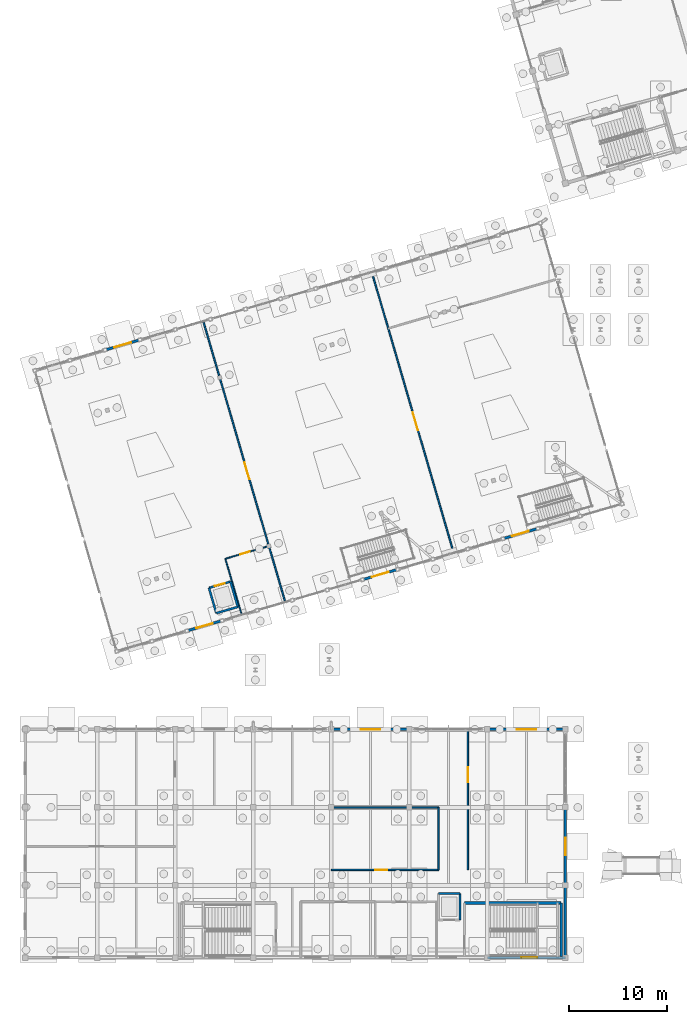
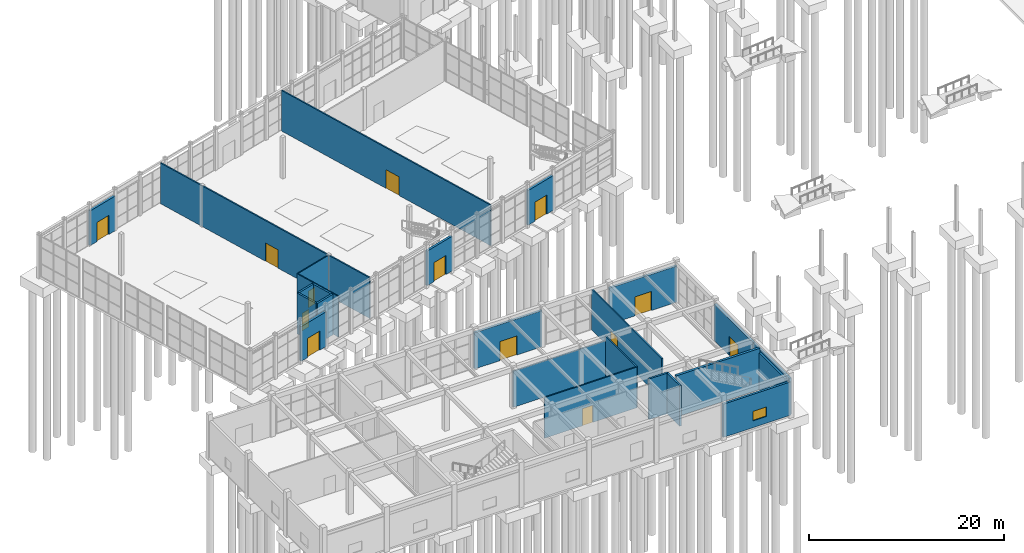
# One storey, part 72 of 90: 25 walls, 13 doors, 1 window, 14 openings.
"""IFC4 building model written with IfcOpenShell, lengths in metres."""

from ifc_helpers import new_model, si_unit, direction, frame, frame_2d, origin, place, context, subcontext, project, spatial, rectangle, extrude, material, layer, layer_set, type_object, element, fill, save


model = new_model("IFC4")

# Units and contexts
model_context = context("Model", 3, precision=1e-05, world=origin(), true_north=direction((0.0, 1.0)))
body_context = subcontext(model_context, "Body", "Model", "MODEL_VIEW")
ifc_project = project(units=[si_unit("LENGTHUNIT", "METRE"), si_unit("AREAUNIT", "SQUARE_METRE"), si_unit("VOLUMEUNIT", "CUBIC_METRE"), si_unit("PLANEANGLEUNIT", "RADIAN"), si_unit("MASSUNIT", "GRAM", prefix="KILO")], contexts=[model_context])

# Site, building, storey
site_placement = place(None, origin())
site = spatial("IfcSite", under=ifc_project, at=site_placement, CompositionType="ELEMENT")
building_placement = place(site_placement, origin())
building = spatial("IfcBuilding", under=site, at=building_placement, Name="Canggui Botanical Conservatory", CompositionType="ELEMENT")
storey_placement = place(building_placement, origin())
storey = spatial("IfcBuildingStorey", under=building, at=storey_placement, Name="L01", CompositionType="ELEMENT", Elevation=0.0)

# Wall, opening, window
ifc_material_1 = material(Name="Precast Concrete C40", Category="concrete")
ifc_layer_1 = layer(ifc_material_1, 0.260009765625, Name="Precast Concrete C40", Category="concrete")
ifc_layer_set_1 = layer_set([ifc_layer_1], Name="Precast Concrete C40")
wall_type_1 = type_object("IfcWallType", Name="EW-260", PredefinedType="STANDARD", material=ifc_layer_set_1)
wall_1_placement = place(storey_placement, frame((66.0, 10.60009765625, 0.0), z_axis=(0.0, 0.0, 1.0), x_axis=(-1.0, 0.0, 0.0)))
wall_1 = element("IfcWall", 1, at=wall_1_placement, inside=storey, type_object=wall_type_1, Name="Visitor Centre Exterior Wall L01-1", PredefinedType="STANDARD", context=body_context, shape_type="SweptSolid", body=[
    extrude(rectangle(XDim=8.0, YDim=0.260009765625, at=frame_2d((4.0, 0.0))), origin(), (0.0, 0.0, 1.0), 4.179931640625),
])
opening_1_placement = place(wall_1_placement, frame((2.89990234375, 0.0, 0.85009765625)))
opening_1 = element("IfcOpeningElement", 2, at=opening_1_placement, cuts=wall_1, Name="Opening W-04", PredefinedType="OPENING", context=body_context, shape_type="SweptSolid", body=[
    extrude(rectangle(XDim=1.60009765625, YDim=1.199951171875, at=frame_2d((0.800048828125, 0.60009765625))), frame((0.0, 0.14013671875, 0.0), z_axis=(0.0, -1.0, 0.0), x_axis=(1.0, 0.0, 0.0)), (0.0, 0.0, 1.0), 0.280029296875),
])
ifc_material_2 = material(Name="Low-E Insulated Glass", Category="glass")
window_type = type_object("IfcWindowType", Name="WIN-04", PartitioningType="SINGLE_PANEL", PredefinedType="WINDOW", material=ifc_material_2)
window_placement = place(opening_1_placement, origin())
window = element("IfcWindow", 3, at=window_placement, inside=storey, type_object=window_type, Name="Visitor Centre Window L01-1", OverallHeight=1.199951171875, OverallWidth=1.60009765625, PartitioningType="SINGLE_PANEL", PredefinedType="WINDOW", context=body_context, shape_type="SweptSolid", body=[
    extrude(rectangle(XDim=1.60009765625, YDim=1.199951171875, at=frame_2d((0.800048828125, 0.60009765625))), frame((0.0, 0.030029296875, 0.0), z_axis=(0.0, -1.0, 0.0), x_axis=(1.0, 0.0, 0.0)), (0.0, 0.0, 1.0), 0.06005859375),
])
fill(opening_1, window)

# Wall, opening, door
wall_2_placement = place(storey_placement, frame((42.0, 34.0, 0.0), z_axis=(0.0, 0.0, 1.0), x_axis=(1.0, 0.0, 0.0)))
wall_2 = element("IfcWall", 4, at=wall_2_placement, inside=storey, type_object=wall_type_1, Name="Visitor Centre Exterior Wall L01-15", PredefinedType="STANDARD", context=body_context, shape_type="SweptSolid", body=[
    extrude(rectangle(XDim=8.0, YDim=0.260009765625, at=frame_2d((4.0, 0.0))), origin(), (0.0, 0.0, 1.0), 4.5400390625),
])
opening_2_placement = place(wall_2_placement, frame((3.0, 0.0, 0.0)))
opening_2 = element("IfcOpeningElement", 5, at=opening_2_placement, cuts=wall_2, Name="Opening EX-A", PredefinedType="OPENING", context=body_context, shape_type="SweptSolid", body=[
    extrude(rectangle(XDim=2.0, YDim=2.39990234375, at=frame_2d((1.0, 1.199951171875))), frame((0.0, 0.14013671875, 0.0), z_axis=(0.0, -1.0, 0.0), x_axis=(1.0, 0.0, 0.0)), (0.0, 0.0, 1.0), 0.280029296875),
])
ifc_material_3 = material(Name="Anodised Aluminium", Category="aluminium")
door_type_1 = type_object("IfcDoorType", Name="EDR-EX20", OperationType="NOTDEFINED", PredefinedType="DOOR", material=ifc_material_3)
door_1_placement = place(opening_2_placement, origin())
door_1 = element("IfcDoor", 6, at=door_1_placement, inside=storey, type_object=door_type_1, Name="Visitor Centre Main Exit Door EX-11", OperationType="DOUBLE_DOOR_SINGLE_SWING", OverallHeight=2.39990234375, OverallWidth=2.0, PredefinedType="DOOR", context=body_context, shape_type="SweptSolid", body=[
    extrude(rectangle(XDim=2.0, YDim=2.39990234375, at=frame_2d((1.0, 1.199951171875))), frame((0.0, 0.02490234375, 0.0), z_axis=(0.0, -1.0, 0.0), x_axis=(1.0, 0.0, 0.0)), (0.0, 0.0, 1.0), 0.050048828125),
])
fill(opening_2, door_1)

wall_3_placement = place(storey_placement, frame((58.0, 34.0, 0.0), z_axis=(0.0, 0.0, 1.0), x_axis=(1.0, 0.0, 0.0)))
wall_3 = element("IfcWall", 7, at=wall_3_placement, inside=storey, type_object=wall_type_1, Name="Visitor Centre Exterior Wall L01-17", PredefinedType="STANDARD", context=body_context, shape_type="SweptSolid", body=[
    extrude(rectangle(XDim=8.0, YDim=0.260009765625, at=frame_2d((4.0, 0.0))), origin(), (0.0, 0.0, 1.0), 4.5400390625),
])
opening_3_placement = place(wall_3_placement, frame((3.0, 0.0, 0.0)))
opening_3 = element("IfcOpeningElement", 8, at=opening_3_placement, cuts=wall_3, Name="Opening EX-A", PredefinedType="OPENING", context=body_context, shape_type="SweptSolid", body=[
    extrude(rectangle(XDim=2.0, YDim=2.39990234375, at=frame_2d((1.0, 1.199951171875))), frame((0.0, 0.14013671875, 0.0), z_axis=(0.0, -1.0, 0.0), x_axis=(1.0, 0.0, 0.0)), (0.0, 0.0, 1.0), 0.280029296875),
])
door_2_placement = place(opening_3_placement, origin())
door_2 = element("IfcDoor", 9, at=door_2_placement, inside=storey, type_object=door_type_1, Name="Visitor Centre Main Exit Door EX-12", OperationType="DOUBLE_DOOR_SINGLE_SWING", OverallHeight=2.39990234375, OverallWidth=2.0, PredefinedType="DOOR", context=body_context, shape_type="SweptSolid", body=[
    extrude(rectangle(XDim=2.0, YDim=2.39990234375, at=frame_2d((1.0, 1.199951171875))), frame((0.0, 0.02490234375, 0.0), z_axis=(0.0, -1.0, 0.0), x_axis=(1.0, 0.0, 0.0)), (0.0, 0.0, 1.0), 0.050048828125),
])
fill(opening_3, door_2)

wall_4_placement = place(storey_placement, frame((66.0, 26.0, 0.0), z_axis=(0.0, 0.0, 1.0), x_axis=(0.0, -1.0, 0.0)))
wall_4 = element("IfcWall", 10, at=wall_4_placement, inside=storey, type_object=wall_type_1, Name="Visitor Centre Exterior Wall L01-19", PredefinedType="STANDARD", context=body_context, shape_type="SweptSolid", body=[
    extrude(rectangle(XDim=8.0, YDim=0.260009765625, at=frame_2d((4.0, 0.0))), origin(), (0.0, 0.0, 1.0), 4.590087890625),
])
opening_4_placement = place(wall_4_placement, frame((3.10009765625, 0.0, 0.0)))
opening_4 = element("IfcOpeningElement", 11, at=opening_4_placement, cuts=wall_4, Name="Opening EX-B", PredefinedType="OPENING", context=body_context, shape_type="SweptSolid", body=[
    extrude(rectangle(XDim=1.800048828125, YDim=2.39990234375, at=frame_2d((0.89990234375, 1.199951171875))), frame((0.0, 0.14013671875, 0.0), z_axis=(0.0, -1.0, 0.0), x_axis=(1.0, 0.0, 0.0)), (0.0, 0.0, 1.0), 0.280029296875),
])
door_type_2 = type_object("IfcDoorType", Name="EDR-EX18", OperationType="NOTDEFINED", PredefinedType="DOOR", material=ifc_material_3)
door_3_placement = place(opening_4_placement, origin())
door_3 = element("IfcDoor", 12, at=door_3_placement, inside=storey, type_object=door_type_2, Name="Visitor Centre East Forecourt Exit Door EX-13", OperationType="DOUBLE_DOOR_SINGLE_SWING", OverallHeight=2.39990234375, OverallWidth=1.800048828125, PredefinedType="DOOR", context=body_context, shape_type="SweptSolid", body=[
    extrude(rectangle(XDim=1.800048828125, YDim=2.39990234375, at=frame_2d((0.89990234375, 1.199951171875))), frame((0.0, 0.02490234375, 0.0), z_axis=(0.0, -1.0, 0.0), x_axis=(1.0, 0.0, 0.0)), (0.0, 0.0, 1.0), 0.050048828125),
])
fill(opening_4, door_3)

# Wall
wall_5_placement = place(storey_placement, frame((66.0, 18.0, 0.0), z_axis=(0.0, 0.0, 1.0), x_axis=(0.0, -1.0, 0.0)))
element("IfcWall", 13, at=wall_5_placement, inside=storey, type_object=wall_type_1, Name="Visitor Centre Exterior Wall L01-20", PredefinedType="STANDARD", context=body_context, shape_type="SweptSolid", body=[
    extrude(rectangle(XDim=7.39990234375, YDim=0.260009765625, at=frame_2d((3.699951171875, 0.0))), origin(), (0.0, 0.0, 1.0), 4.590087890625),
])

# Wall, opening, door
wall_6_placement = place(storey_placement, frame((30.800048828125, 45.14990234375, 0.0), z_axis=(0.0, 0.0, 1.0), x_axis=(-0.960016039924, -0.279945000113, 0.0)))
wall_6 = element("IfcWall", 14, at=wall_6_placement, inside=storey, type_object=wall_type_1, Name="Conservatory Entrance Portal Wall V0-3", PredefinedType="STANDARD", context=body_context, shape_type="SweptSolid", body=[
    extrude(rectangle(XDim=3.75, YDim=0.260009765625, at=frame_2d((1.875, 0.0))), origin(), (0.0, 0.0, 1.0), 4.35009765625),
])
opening_5_placement = place(wall_6_placement, frame((0.97509765625, 0.0, 0.0)))
opening_5 = element("IfcOpeningElement", 15, at=opening_5_placement, cuts=wall_6, Name="Opening EX-B", PredefinedType="OPENING", context=body_context, shape_type="SweptSolid", body=[
    extrude(rectangle(XDim=1.800048828125, YDim=2.39990234375, at=frame_2d((0.89990234375, 1.199951171875))), frame((0.0, 0.14013671875, 0.0), z_axis=(0.0, -1.0, 0.0), x_axis=(1.0, 0.0, 0.0)), (0.0, 0.0, 1.0), 0.280029296875),
])
door_4_placement = place(opening_5_placement, origin())
door_4 = element("IfcDoor", 16, at=door_4_placement, inside=storey, type_object=door_type_2, Name="Conservatory Biome Exit Door EX-14", OperationType="DOUBLE_DOOR_SINGLE_SWING", OverallHeight=2.39990234375, OverallWidth=1.800048828125, PredefinedType="DOOR", context=body_context, shape_type="SweptSolid", body=[
    extrude(rectangle(XDim=1.800048828125, YDim=2.39990234375, at=frame_2d((0.89990234375, 1.199951171875))), frame((0.0, 0.02490234375, 0.0), z_axis=(0.0, -1.0, 0.0), x_axis=(1.0, 0.0, 0.0)), (0.0, 0.0, 1.0), 0.050048828125),
])
fill(opening_5, door_4)

wall_7_placement = place(storey_placement, frame((48.800048828125, 50.39990234375, 0.0), z_axis=(0.0, 0.0, 1.0), x_axis=(-0.960016039924, -0.279945000113, 0.0)))
wall_7 = element("IfcWall", 17, at=wall_7_placement, inside=storey, type_object=wall_type_1, Name="Conservatory Entrance Portal Wall V0-8", PredefinedType="STANDARD", context=body_context, shape_type="SweptSolid", body=[
    extrude(rectangle(XDim=3.75, YDim=0.260009765625, at=frame_2d((1.875, 0.0))), origin(), (0.0, 0.0, 1.0), 4.35009765625),
])
opening_6_placement = place(wall_7_placement, frame((0.97509765625, 0.0, 0.0)))
opening_6 = element("IfcOpeningElement", 18, at=opening_6_placement, cuts=wall_7, Name="Opening EX-B", PredefinedType="OPENING", context=body_context, shape_type="SweptSolid", body=[
    extrude(rectangle(XDim=1.800048828125, YDim=2.39990234375, at=frame_2d((0.89990234375, 1.199951171875))), frame((0.0, 0.14013671875, 0.0), z_axis=(0.0, -1.0, 0.0), x_axis=(1.0, 0.0, 0.0)), (0.0, 0.0, 1.0), 0.280029296875),
])
door_5_placement = place(opening_6_placement, origin())
door_5 = element("IfcDoor", 19, at=door_5_placement, inside=storey, type_object=door_type_2, Name="Conservatory Biome Exit Door EX-15", OperationType="DOUBLE_DOOR_SINGLE_SWING", OverallHeight=2.39990234375, OverallWidth=1.800048828125, PredefinedType="DOOR", context=body_context, shape_type="SweptSolid", body=[
    extrude(rectangle(XDim=1.800048828125, YDim=2.39990234375, at=frame_2d((0.89990234375, 1.199951171875))), frame((0.0, 0.02490234375, 0.0), z_axis=(0.0, -1.0, 0.0), x_axis=(1.0, 0.0, 0.0)), (0.0, 0.0, 1.0), 0.050048828125),
])
fill(opening_6, door_5)

wall_8_placement = place(storey_placement, frame((63.199951171875, 54.60009765625, 0.0), z_axis=(0.0, 0.0, 1.0), x_axis=(-0.959993437014, -0.280022500685, 0.0)))
wall_8 = element("IfcWall", 20, at=wall_8_placement, inside=storey, type_object=wall_type_1, Name="Conservatory Entrance Portal Wall V0-12", PredefinedType="STANDARD", context=body_context, shape_type="SweptSolid", body=[
    extrude(rectangle(XDim=3.749755859375, YDim=0.260009765625, at=frame_2d((1.875, 0.0))), origin(), (0.0, 0.0, 1.0), 4.35009765625),
])
opening_7_placement = place(wall_8_placement, frame((0.97509765625, 0.0, 0.0)))
opening_7 = element("IfcOpeningElement", 21, at=opening_7_placement, cuts=wall_8, Name="Opening EX-B", PredefinedType="OPENING", context=body_context, shape_type="SweptSolid", body=[
    extrude(rectangle(XDim=1.800048828125, YDim=2.39990234375, at=frame_2d((0.89990234375, 1.199951171875))), frame((0.0, 0.14013671875, 0.0), z_axis=(0.0, -1.0, 0.0), x_axis=(1.0, 0.0, 0.0)), (0.0, 0.0, 1.0), 0.280029296875),
])
door_6_placement = place(opening_7_placement, origin())
door_6 = element("IfcDoor", 22, at=door_6_placement, inside=storey, type_object=door_type_2, Name="Conservatory Biome Exit Door EX-16", OperationType="DOUBLE_DOOR_SINGLE_SWING", OverallHeight=2.39990234375, OverallWidth=1.800048828125, PredefinedType="DOOR", context=body_context, shape_type="SweptSolid", body=[
    extrude(rectangle(XDim=1.800048828125, YDim=2.39990234375, at=frame_2d((0.89990234375, 1.199951171875))), frame((0.0, 0.02490234375, 0.0), z_axis=(0.0, -1.0, 0.0), x_axis=(1.0, 0.0, 0.0)), (0.0, 0.0, 1.0), 0.050048828125),
])
fill(opening_7, door_6)

wall_9_placement = place(storey_placement, frame((18.800048828125, 72.89990234375, 0.0), z_axis=(0.0, 0.0, 1.0), x_axis=(0.959993437014, 0.280022500685, 0.0)))
wall_9 = element("IfcWall", 23, at=wall_9_placement, inside=storey, type_object=wall_type_1, Name="Conservatory Entrance Portal Wall V1-3", PredefinedType="STANDARD", context=body_context, shape_type="SweptSolid", body=[
    extrude(rectangle(XDim=3.749755859375, YDim=0.260009765625, at=frame_2d((1.875, 0.0))), origin(), (0.0, 0.0, 1.0), 4.35009765625),
])
opening_8_placement = place(wall_9_placement, frame((0.97509765625, 0.0, 0.0)))
opening_8 = element("IfcOpeningElement", 24, at=opening_8_placement, cuts=wall_9, Name="Opening EX-B", PredefinedType="OPENING", context=body_context, shape_type="SweptSolid", body=[
    extrude(rectangle(XDim=1.800048828125, YDim=2.39990234375, at=frame_2d((0.89990234375, 1.199951171875))), frame((0.0, 0.14013671875, 0.0), z_axis=(0.0, -1.0, 0.0), x_axis=(1.0, 0.0, 0.0)), (0.0, 0.0, 1.0), 0.280029296875),
])
door_7_placement = place(opening_8_placement, origin())
door_7 = element("IfcDoor", 25, at=door_7_placement, inside=storey, type_object=door_type_2, Name="Conservatory Biome Exit Door EX-17", OperationType="DOUBLE_DOOR_SINGLE_SWING", OverallHeight=2.39990234375, OverallWidth=1.800048828125, PredefinedType="DOOR", context=body_context, shape_type="SweptSolid", body=[
    extrude(rectangle(XDim=1.800048828125, YDim=2.39990234375, at=frame_2d((0.89990234375, 1.199951171875))), frame((0.0, 0.02490234375, 0.0), z_axis=(0.0, -1.0, 0.0), x_axis=(1.0, 0.0, 0.0)), (0.0, 0.0, 1.0), 0.050048828125),
])
fill(opening_8, door_7)

ifc_material_4 = material(Name="Gypsum Plasterboard Partition")
ifc_layer_2 = layer(ifc_material_4, 0.155029296875, Name="Gypsum Plasterboard Partition")
ifc_layer_set_2 = layer_set([ifc_layer_2], Name="Gypsum Plasterboard Partition")
wall_type_2 = type_object("IfcWallType", Name="IW-LAB-155", PredefinedType="STANDARD", material=ifc_layer_set_2)
wall_10_placement = place(storey_placement, frame((37.246337890625, 47.1552734375, 0.0), z_axis=(0.0, 0.0, 1.0), x_axis=(-0.279999054938, 0.960000275642, 0.0)))
wall_10 = element("IfcWall", 26, at=wall_10_placement, inside=storey, type_object=wall_type_2, Name="Conservatory Arid-Temperate Biome Partition", PredefinedType="STANDARD", context=body_context, shape_type="SweptSolid", body=[
    extrude(rectangle(XDim=29.760009765625, YDim=0.155029296875, at=frame_2d((14.8798828125, 0.0))), origin(), (0.0, 0.0, 1.0), 5.10009765625),
])
opening_9_placement = place(wall_10_placement, frame((13.0, 0.0, 0.0)))
opening_9 = element("IfcOpeningElement", 27, at=opening_9_placement, cuts=wall_10, Name="Opening FD-17", PredefinedType="OPENING", context=body_context, shape_type="SweptSolid", body=[
    extrude(rectangle(XDim=1.800048828125, YDim=2.300048828125, at=frame_2d((0.89990234375, 1.14990234375))), frame((0.0, 0.08740234375, 0.0), z_axis=(0.0, -1.0, 0.0), x_axis=(1.0, 0.0, 0.0)), (0.0, 0.0, 1.0), 0.175048828125),
])
ifc_material_5 = material(Name="Powder-Coated Steel", Category="steel")
door_type_3 = type_object("IfcDoorType", Name="FD-17", OperationType="NOTDEFINED", PredefinedType="DOOR", material=ifc_material_5)
door_8_placement = place(opening_9_placement, origin())
door_8 = element("IfcDoor", 28, at=door_8_placement, inside=storey, type_object=door_type_3, Name="Interior Door IW-CONS-B1", OperationType="DOUBLE_DOOR_SINGLE_SWING", OverallHeight=2.300048828125, OverallWidth=1.800048828125, PredefinedType="DOOR", context=body_context, shape_type="SweptSolid", body=[
    extrude(rectangle(XDim=1.800048828125, YDim=2.300048828125, at=frame_2d((0.89990234375, 1.14990234375))), frame((0.0, 0.02490234375, 0.0), z_axis=(0.0, -1.0, 0.0), x_axis=(1.0, 0.0, 0.0)), (0.0, 0.0, 1.0), 0.050048828125),
])
fill(opening_9, door_8)

wall_11_placement = place(storey_placement, frame((54.5263671875, 52.1953125, 0.0), z_axis=(0.0, 0.0, 1.0), x_axis=(-0.279999054938, 0.960000275642, 0.0)))
wall_11 = element("IfcWall", 29, at=wall_11_placement, inside=storey, type_object=wall_type_2, Name="Conservatory Temperate-Tropical Biome Partition", PredefinedType="STANDARD", context=body_context, shape_type="SweptSolid", body=[
    extrude(rectangle(XDim=29.760009765625, YDim=0.155029296875, at=frame_2d((14.8798828125, 0.0))), origin(), (0.0, 0.0, 1.0), 5.10009765625),
])
opening_10_placement = place(wall_11_placement, frame((13.0, 0.0, 0.0)))
opening_10 = element("IfcOpeningElement", 30, at=opening_10_placement, cuts=wall_11, Name="Opening FD-18", PredefinedType="OPENING", context=body_context, shape_type="SweptSolid", body=[
    extrude(rectangle(XDim=1.89990234375, YDim=2.35009765625, at=frame_2d((0.949951171875, 1.175048828125))), frame((0.0, 0.08740234375, 0.0), z_axis=(0.0, -1.0, 0.0), x_axis=(1.0, 0.0, 0.0)), (0.0, 0.0, 1.0), 0.175048828125),
])
door_type_4 = type_object("IfcDoorType", Name="FD-18", OperationType="NOTDEFINED", PredefinedType="DOOR", material=ifc_material_5)
door_9_placement = place(opening_10_placement, origin())
door_9 = element("IfcDoor", 31, at=door_9_placement, inside=storey, type_object=door_type_4, Name="Interior Door IW-CONS-B2", OperationType="DOUBLE_DOOR_SINGLE_SWING", OverallHeight=2.35009765625, OverallWidth=1.89990234375, PredefinedType="DOOR", context=body_context, shape_type="SweptSolid", body=[
    extrude(rectangle(XDim=1.89990234375, YDim=2.35009765625, at=frame_2d((0.949951171875, 1.175048828125))), frame((0.0, 0.02490234375, 0.0), z_axis=(0.0, -1.0, 0.0), x_axis=(1.0, 0.0, 0.0)), (0.0, 0.0, 1.0), 0.050048828125),
])
fill(opening_10, door_9)

wall_12_placement = place(storey_placement, frame((42.0, 19.60009765625, 0.0), z_axis=(0.0, 0.0, 1.0), x_axis=(1.0, 0.0, 0.0)))
wall_12 = element("IfcWall", 32, at=wall_12_placement, inside=storey, type_object=wall_type_2, Name="Visitor Mid Gallery South Wall L01", PredefinedType="STANDARD", context=body_context, shape_type="SweptSolid", body=[
    extrude(rectangle(XDim=11.0, YDim=0.155029296875, at=frame_2d((5.5, 0.0))), origin(), (0.0, 0.0, 1.0), 5.10009765625),
])
opening_11_placement = place(wall_12_placement, frame((4.5, 0.0, 0.0)))
opening_11 = element("IfcOpeningElement", 33, at=opening_11_placement, cuts=wall_12, Name="Opening FD-08", PredefinedType="OPENING", context=body_context, shape_type="SweptSolid", body=[
    extrude(rectangle(XDim=1.25, YDim=2.14990234375, at=frame_2d((0.625, 1.074951171875))), frame((0.0, 0.08740234375, 0.0), z_axis=(0.0, -1.0, 0.0), x_axis=(1.0, 0.0, 0.0)), (0.0, 0.0, 1.0), 0.175048828125),
])
door_type_5 = type_object("IfcDoorType", Name="FD-08", OperationType="NOTDEFINED", PredefinedType="DOOR", material=ifc_material_5)
door_10_placement = place(opening_11_placement, origin())
door_10 = element("IfcDoor", 34, at=door_10_placement, inside=storey, type_object=door_type_5, Name="Interior Door IW-VIS-L01-M", OperationType="SINGLE_SWING_LEFT", OverallHeight=2.14990234375, OverallWidth=1.25, PredefinedType="DOOR", context=body_context, shape_type="SweptSolid", body=[
    extrude(rectangle(XDim=1.25, YDim=2.14990234375, at=frame_2d((0.625, 1.074951171875))), frame((0.0, 0.02490234375, 0.0), z_axis=(0.0, -1.0, 0.0), x_axis=(1.0, 0.0, 0.0)), (0.0, 0.0, 1.0), 0.050048828125),
])
fill(opening_11, door_10)

# Walls
wall_13_placement = place(storey_placement, frame((53.0, 19.60009765625, 0.0), z_axis=(0.0, 0.0, 1.0), x_axis=(0.0, 1.0, 0.0)))
element("IfcWall", 35, at=wall_13_placement, inside=storey, type_object=wall_type_2, Name="Visitor Mid Gallery East Wall L01", PredefinedType="STANDARD", context=body_context, shape_type="SweptSolid", body=[
    extrude(rectangle(XDim=6.39990234375, YDim=0.155029296875, at=frame_2d((3.199951171875, 0.0))), origin(), (0.0, 0.0, 1.0), 5.10009765625),
])
wall_14_placement = place(storey_placement, frame((42.0, 26.0, 0.0), z_axis=(0.0, 0.0, 1.0), x_axis=(1.0, 0.0, 0.0)))
element("IfcWall", 36, at=wall_14_placement, inside=storey, type_object=wall_type_2, Name="Visitor Mid Gallery North Wall L01", PredefinedType="STANDARD", context=body_context, shape_type="SweptSolid", body=[
    extrude(rectangle(XDim=11.0, YDim=0.155029296875, at=frame_2d((5.5, 0.0))), origin(), (0.0, 0.0, 1.0), 4.5400390625),
])

# Wall, opening, door
wall_15_placement = place(storey_placement, frame((56.0, 19.60009765625, 0.0), z_axis=(0.0, 0.0, 1.0), x_axis=(0.0, 1.0, 0.0)))
wall_15 = element("IfcWall", 37, at=wall_15_placement, inside=storey, type_object=wall_type_2, Name="Visitor East Hall Wall L01", PredefinedType="STANDARD", context=body_context, shape_type="SweptSolid", body=[
    extrude(rectangle(XDim=14.349853515625, YDim=0.155029296875, at=frame_2d((7.1748046875, 0.0))), origin(), (0.0, 0.0, 1.0), 5.10009765625),
])
opening_12_placement = place(wall_15_placement, frame((9.0, 0.0, 0.0)))
opening_12 = element("IfcOpeningElement", 38, at=opening_12_placement, cuts=wall_15, Name="Opening FD-13", PredefinedType="OPENING", context=body_context, shape_type="SweptSolid", body=[
    extrude(rectangle(XDim=1.5, YDim=2.199951171875, at=frame_2d((0.75, 1.10009765625))), frame((0.0, 0.08740234375, 0.0), z_axis=(0.0, -1.0, 0.0), x_axis=(1.0, 0.0, 0.0)), (0.0, 0.0, 1.0), 0.175048828125),
])
door_type_6 = type_object("IfcDoorType", Name="FD-13", OperationType="NOTDEFINED", PredefinedType="DOOR", material=ifc_material_5)
door_11_placement = place(opening_12_placement, origin())
door_11 = element("IfcDoor", 39, at=door_11_placement, inside=storey, type_object=door_type_6, Name="Interior Door IW-VIS-L01-E", OperationType="SINGLE_SWING_RIGHT", OverallHeight=2.199951171875, OverallWidth=1.5, PredefinedType="DOOR", context=body_context, shape_type="SweptSolid", body=[
    extrude(rectangle(XDim=1.5, YDim=2.199951171875, at=frame_2d((0.75, 1.10009765625))), frame((0.0, 0.02490234375, 0.0), z_axis=(0.0, -1.0, 0.0), x_axis=(1.0, 0.0, 0.0)), (0.0, 0.0, 1.0), 0.050048828125),
])
fill(opening_12, door_11)

# Walls
ifc_material_6 = material(Name="Concrete C35", Category="concrete")
ifc_layer_3 = layer(ifc_material_6, 0.215087890625, Name="Concrete C35", Category="concrete")
ifc_layer_set_3 = layer_set([ifc_layer_3], Name="Concrete C35")
wall_type_3 = type_object("IfcWallType", Name="IW-SHAFT-215", PredefinedType="STANDARD", material=ifc_layer_set_3)
wall_16_placement = place(storey_placement, frame((65.580078125, 10.719970703125, 0.0), z_axis=(0.0, 0.0, 1.0), x_axis=(0.0, 1.0, 0.0)))
element("IfcWall", 40, at=wall_16_placement, inside=storey, type_object=wall_type_3, Name="ST-V1 Shaft East Liner Wall L01", PredefinedType="STANDARD", context=body_context, shape_type="SweptSolid", body=[
    extrude(rectangle(XDim=5.47998046875, YDim=0.215087890625, at=frame_2d((2.739990234375, 0.0))), origin(), (0.0, 0.0, 1.0), 4.590087890625),
])
wall_17_placement = place(storey_placement, frame((30.2119140625, 45.916015625, 0.0), z_axis=(0.0, 0.0, 1.0), x_axis=(0.959995244467, 0.280016304169, 0.0)))
element("IfcWall", 41, at=wall_17_placement, inside=storey, type_object=wall_type_3, Name="Conservatory Lift PL-03 Shaft Wall L01-0", PredefinedType="STANDARD", context=body_context, shape_type="SweptSolid", body=[
    extrude(rectangle(XDim=2.300048828125, YDim=0.215087890625, at=frame_2d((1.14990234375, 0.0))), origin(), (0.0, 0.0, 1.0), 5.10009765625),
])
wall_18_placement = place(storey_placement, frame((32.419921875, 46.56005859375, 0.0), z_axis=(0.0, 0.0, 1.0), x_axis=(-0.279947916255, 0.960015189559, 0.0)))
element("IfcWall", 42, at=wall_18_placement, inside=storey, type_object=wall_type_3, Name="Conservatory Lift PL-03 Shaft Wall L01-1", PredefinedType="STANDARD", context=body_context, shape_type="SweptSolid", body=[
    extrude(rectangle(XDim=2.699951171875, YDim=0.215087890625, at=frame_2d((1.35009765625, 0.0))), origin(), (0.0, 0.0, 1.0), 5.10009765625),
])

# Wall, opening, door
wall_19_placement = place(storey_placement, frame((31.6640625, 49.152099609375, 0.0), z_axis=(0.0, 0.0, 1.0), x_axis=(-0.959995244467, -0.280016304169, 0.0)))
wall_19 = element("IfcWall", 43, at=wall_19_placement, inside=storey, type_object=wall_type_3, Name="Conservatory Lift PL-03 Shaft Wall L01-2", PredefinedType="STANDARD", context=body_context, shape_type="SweptSolid", body=[
    extrude(rectangle(XDim=2.300048828125, YDim=0.215087890625, at=frame_2d((1.14990234375, 0.0))), origin(), (0.0, 0.0, 1.0), 5.10009765625),
])
opening_13_placement = place(wall_19_placement, frame((0.625, 0.0, 0.0)))
opening_13 = element("IfcOpeningElement", 44, at=opening_13_placement, cuts=wall_19, Name="Opening LD-02", PredefinedType="OPENING", context=body_context, shape_type="SweptSolid", body=[
    extrude(rectangle(XDim=1.050048828125, YDim=2.199951171875, at=frame_2d((0.52490234375, 1.10009765625))), frame((0.0, 0.11767578125, 0.0), z_axis=(0.0, -1.0, 0.0), x_axis=(1.0, 0.0, 0.0)), (0.0, 0.0, 1.0), 0.235107421875),
])
ifc_material_7 = material(Name="Stainless Steel 304", Category="steel")
door_type_7 = type_object("IfcDoorType", Name="LDR-02", OperationType="NOTDEFINED", PredefinedType="DOOR", material=ifc_material_7)
door_12_placement = place(opening_13_placement, origin())
door_12 = element("IfcDoor", 45, at=door_12_placement, inside=storey, type_object=door_type_7, Name="Conservatory Lift PL-03 Landing Door L01", OperationType="SLIDING_TO_LEFT", OverallHeight=2.199951171875, OverallWidth=1.050048828125, PredefinedType="DOOR", context=body_context, shape_type="SweptSolid", body=[
    extrude(rectangle(XDim=1.050048828125, YDim=2.199951171875, at=frame_2d((0.52490234375, 1.10009765625))), frame((0.0, 0.02490234375, 0.0), z_axis=(0.0, -1.0, 0.0), x_axis=(1.0, 0.0, 0.0)), (0.0, 0.0, 1.0), 0.050048828125),
])
fill(opening_13, door_12)

# Walls
for number, where, z_axis, x_axis, name in (
    (46, (29.4560546875, 48.508056640625, 0.0), (0.0, 0.0, 1.0), (0.279947916255, -0.960015189559, 0.0), "Conservatory Lift PL-03 Shaft Wall L01-3"),
    (47, (55.219970703125, 14.449951171875, 0.0), (0.0, 0.0, 1.0), (0.0, 1.0, 0.0), "Visitor Lift PL-04 Shaft Wall L01-1"),
):
    element("IfcWall", number, at=place(storey_placement, frame(where, z_axis=z_axis, x_axis=x_axis)), inside=storey, type_object=wall_type_3, Name=name, PredefinedType="STANDARD", context=body_context, shape_type="SweptSolid", body=[
        extrude(rectangle(XDim=2.699951171875, YDim=0.215087890625, at=frame_2d((1.35009765625, 0.0))), origin(), (0.0, 0.0, 1.0), 5.10009765625),
    ])
wall_20_placement = place(storey_placement, frame((55.219970703125, 17.14990234375, 0.0), z_axis=(0.0, 0.0, 1.0), x_axis=(-1.0, 0.0, 0.0)))
element("IfcWall", 48, at=wall_20_placement, inside=storey, type_object=wall_type_3, Name="Visitor Lift PL-04 Shaft Wall L01-2", PredefinedType="STANDARD", context=body_context, shape_type="SweptSolid", body=[
    extrude(rectangle(XDim=2.239990234375, YDim=0.215087890625, at=frame_2d((1.1201171875, 0.0))), origin(), (0.0, 0.0, 1.0), 5.10009765625),
])

# Wall, opening, door
ifc_layer_4 = layer(ifc_material_4, 0.125, Name="Gypsum Plasterboard Partition")
ifc_layer_set_4 = layer_set([ifc_layer_4], Name="Gypsum Plasterboard Partition")
wall_type_4 = type_object("IfcWallType", Name="IW-WC-125", PredefinedType="STANDARD", material=ifc_layer_set_4)
wall_21_placement = place(storey_placement, frame((31.135986328125, 51.498046875, 0.0), z_axis=(0.0, 0.0, 1.0), x_axis=(0.960001764053, 0.279993951747, 0.0)))
wall_21 = element("IfcWall", 49, at=wall_21_placement, inside=storey, type_object=wall_type_4, Name="Conservatory Accessible WC Partition", PredefinedType="STANDARD", context=body_context, shape_type="SweptSolid", body=[
    extrude(rectangle(XDim=4.650146484375, YDim=0.125, at=frame_2d((2.3251953125, 0.0))), origin(), (0.0, 0.0, 1.0), 5.10009765625),
])
opening_14_placement = place(wall_21_placement, frame((1.60009765625, 0.0, 0.0)))
opening_14 = element("IfcOpeningElement", 50, at=opening_14_placement, cuts=wall_21, Name="Opening ID-04", PredefinedType="OPENING", context=body_context, shape_type="SweptSolid", body=[
    extrude(rectangle(XDim=1.02001953125, YDim=2.080078125, at=frame_2d((0.510009765625, 1.0400390625))), frame((0.0, 0.072509765625, 0.0), z_axis=(0.0, -1.0, 0.0), x_axis=(1.0, 0.0, 0.0)), (0.0, 0.0, 1.0), 0.14501953125),
])
ifc_material_8 = material(Name="Engineered Timber Veneer", Category="wood")
door_type_8 = type_object("IfcDoorType", Name="ID-04", OperationType="NOTDEFINED", PredefinedType="DOOR", material=ifc_material_8)
door_13_placement = place(opening_14_placement, origin())
door_13 = element("IfcDoor", 51, at=door_13_placement, inside=storey, type_object=door_type_8, Name="Interior Door IW-CONS-WC", OperationType="SINGLE_SWING_RIGHT", OverallHeight=2.080078125, OverallWidth=1.02001953125, PredefinedType="DOOR", context=body_context, shape_type="SweptSolid", body=[
    extrude(rectangle(XDim=1.02001953125, YDim=2.080078125, at=frame_2d((0.510009765625, 1.0400390625))), frame((0.0, 0.02490234375, 0.0), z_axis=(0.0, -1.0, 0.0), x_axis=(1.0, 0.0, 0.0)), (0.0, 0.0, 1.0), 0.050048828125),
])
fill(opening_14, door_13)

# Walls
wall_22_placement = place(storey_placement, frame((32.782470703125, 45.853271484375, 0.0), z_axis=(0.0, 0.0, 1.0), x_axis=(-0.280014349459, 0.959995814625, 0.0)))
element("IfcWall", 52, at=wall_22_placement, inside=storey, type_object=wall_type_4, Name="Conservatory Accessible WC West Wall", PredefinedType="STANDARD", context=body_context, shape_type="SweptSolid", body=[
    extrude(rectangle(XDim=5.8798828125, YDim=0.125, at=frame_2d((2.93994140625, 0.0))), origin(), (0.0, 0.0, 1.0), 5.10009765625),
])
ifc_layer_5 = layer(ifc_material_6, 0.280029296875, Name="Concrete C35", Category="concrete")
ifc_layer_set_5 = layer_set([ifc_layer_5], Name="Concrete C35")
wall_type_5 = type_object("IfcWallType", Name="WALL-SH-280-C35", PredefinedType="SHEAR", material=ifc_layer_set_5)
wall_23_placement = place(storey_placement, frame((55.64990234375, 16.199951171875, 0.0), z_axis=(0.0, 0.0, 1.0), x_axis=(1.0, 0.0, 0.0)))
element("IfcWall", 53, at=wall_23_placement, inside=storey, type_object=wall_type_5, Name="ST-V1 Structural Shaft North Wall L01", PredefinedType="SHEAR", context=body_context, shape_type="SweptSolid", body=[
    extrude(rectangle(XDim=9.900146484375, YDim=0.280029296875, at=frame_2d((4.9501953125, 0.0))), origin(), (0.0, 0.0, 1.0), 5.159912109375),
])

save(model, "model.ifc")
